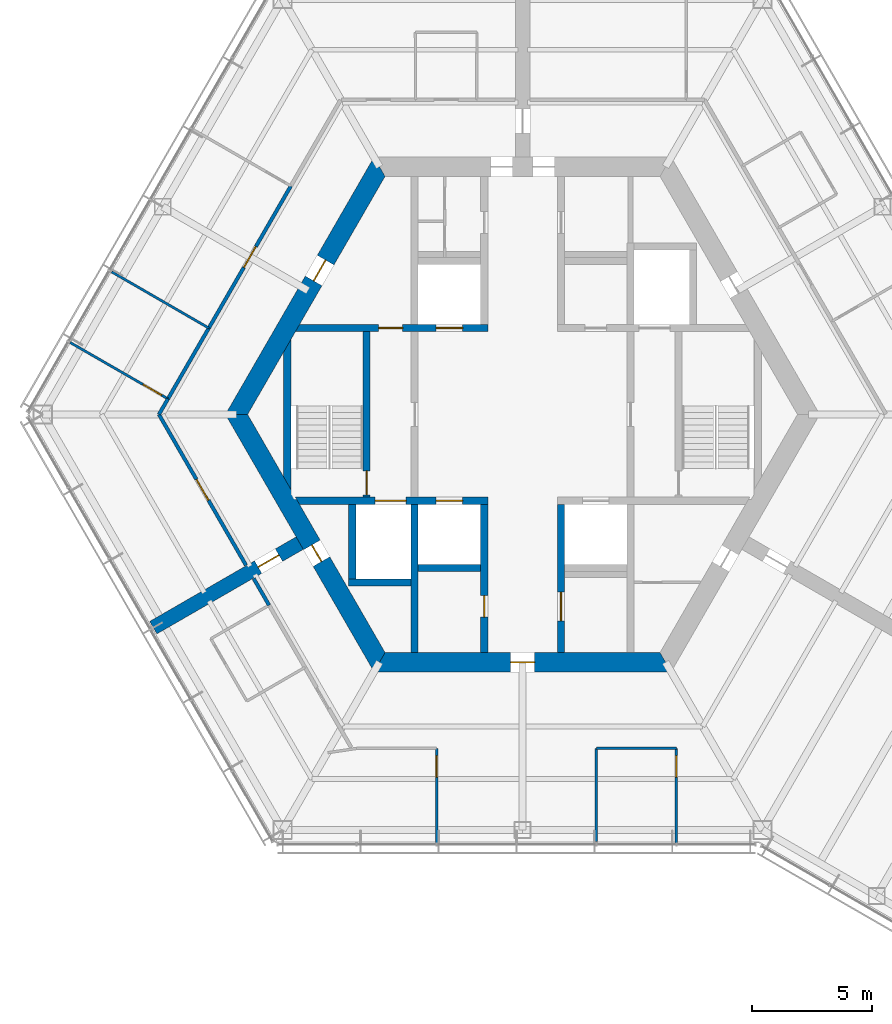
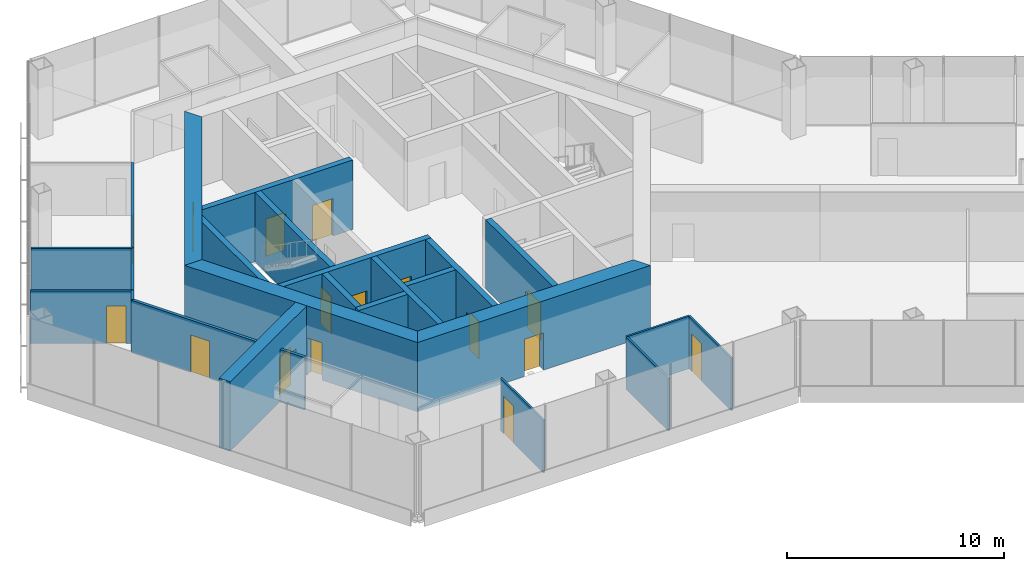
# One storey, part 10 of 16: 25 walls, 16 doors, 16 openings.
"""IFC4 building model written with IfcOpenShell, lengths in metres."""

from ifc_helpers import new_model, si_unit, direction, frame, frame_2d, origin, place, context, subcontext, project, spatial, polyline, rectangle, outline, extrude, material, layer, layer_set, type_object, element, fill, save


model = new_model("IFC4")

# Units and contexts
model_context = context("Model", 3, precision=1e-05, world=origin(), true_north=direction((0.0, 1.0)))
body_context = subcontext(model_context, "Body", "Model", "MODEL_VIEW")
ifc_project = project(units=[si_unit("LENGTHUNIT", "METRE"), si_unit("AREAUNIT", "SQUARE_METRE"), si_unit("VOLUMEUNIT", "CUBIC_METRE"), si_unit("PLANEANGLEUNIT", "RADIAN"), si_unit("MASSUNIT", "GRAM", prefix="KILO")], contexts=[model_context])

# Site, building, storey
site_placement = place(None, origin())
site = spatial("IfcSite", under=ifc_project, at=site_placement, CompositionType="ELEMENT")
building_placement = place(site_placement, origin())
building = spatial("IfcBuilding", under=site, at=building_placement, Name="Kasaneha Research Tower", CompositionType="ELEMENT")
storey_placement = place(building_placement, frame((0.0, 0.0, 259.60009765625)))
storey = spatial("IfcBuildingStorey", under=building, at=storey_placement, Name="L65", CompositionType="ELEMENT", Elevation=259.60009765625)

# Wall, openings, doors
ifc_material_1 = material(Name="Concrete Fc60", Category="concrete")
ifc_layer_1 = layer(ifc_material_1, 0.300048828125)
ifc_layer_set_1 = layer_set([ifc_layer_1], Name="Core internal wall 300 Fc60")
wall_type_1 = type_object("IfcWallType", Name="Core internal wall 300 Fc60", PredefinedType="SHEAR", material=ifc_layer_set_1)
wall_1_placement = place(storey_placement, frame((-9.3818359375, 3.60009765625, 0.0), z_axis=(0.0, 0.0, 1.0), x_axis=(1.0, 0.0, 0.0)))
wall_1 = element("IfcWall", 1, at=wall_1_placement, inside=storey, type_object=wall_type_1, Name="Core wall W1W L65", PredefinedType="SHEAR", context=body_context, shape_type="SweptSolid", body=[
    extrude(outline(polyline([(-0.086669921875, -0.14990234375), (3.3818359375, -0.14990234375), (4.3818359375, -0.14990234375), (5.781982421875, -0.14990234375), (6.882080078125, -0.14990234375), (7.931884765625, -0.14990234375), (7.931884765625, 0.14990234375), (6.882080078125, 0.14990234375), (5.781982421875, 0.14990234375), (4.3818359375, 0.14990234375), (3.3818359375, 0.14990234375), (0.086669921875, 0.14990234375), (-0.086669921875, -0.14990234375)])), origin(), (0.0, 0.0, 1.0), 3.89990234375),
])
opening_1_placement = place(wall_1_placement, frame((3.3818359375, 0.0, 0.0)))
opening_1 = element("IfcOpeningElement", 2, at=opening_1_placement, cuts=wall_1, Name="Opening L65-D12", PredefinedType="OPENING", context=body_context, shape_type="SweptSolid", body=[
    extrude(rectangle(XDim=1.0, YDim=2.10009765625, at=frame_2d((0.5, 1.050048828125))), frame((0.0, 0.16015625, 0.0), z_axis=(0.0, -1.0, 0.0), x_axis=(1.0, 0.0, 0.0)), (0.0, 0.0, 1.0), 0.320068359375),
])
opening_2_placement = place(wall_1_placement, frame((5.781982421875, 0.0, 0.0)))
opening_2 = element("IfcOpeningElement", 3, at=opening_2_placement, cuts=wall_1, Name="Opening LD-LH2-L65", PredefinedType="OPENING", context=body_context, shape_type="SweptSolid", body=[
    extrude(rectangle(XDim=1.10009765625, YDim=2.10009765625, at=frame_2d((0.550048828125, 1.050048828125))), frame((0.0, 0.16015625, 0.0), z_axis=(0.0, -1.0, 0.0), x_axis=(1.0, 0.0, 0.0)), (0.0, 0.0, 1.0), 0.320068359375),
])
ifc_material_2 = material(Name="Steel", Category="steel")
door_type_1 = type_object("IfcDoorType", Name="Lift landing door 1100x2100", OperationType="DOUBLE_DOOR_SLIDING", PredefinedType="DOOR", material=ifc_material_2)
door_1_placement = place(opening_2_placement, origin())
door_1 = element("IfcDoor", 4, at=door_1_placement, inside=storey, type_object=door_type_1, Name="Landing door LH2 LD-LH2-L65", OperationType="DOUBLE_DOOR_SLIDING", OverallHeight=2.10009765625, OverallWidth=1.10009765625, PredefinedType="DOOR", context=body_context, shape_type="SweptSolid", body=[
    extrude(rectangle(XDim=1.10009765625, YDim=2.10009765625, at=frame_2d((0.550048828125, 1.050048828125))), frame((0.0, 0.02490234375, 0.0), z_axis=(0.0, -1.0, 0.0), x_axis=(1.0, 0.0, 0.0)), (0.0, 0.0, 1.0), 0.050048828125),
])
fill(opening_2, door_1)
ifc_material_3 = material(Name="Steel", Category="steel")
door_type_2 = type_object("IfcDoorType", Name="Specified fire door FD60 1000x2100", OperationType="NOTDEFINED", PredefinedType="DOOR", material=ifc_material_3)
door_2_placement = place(opening_1_placement, origin())
door_2 = element("IfcDoor", 5, at=door_2_placement, inside=storey, type_object=door_type_2, Name="Vestibule to lobby door L65-D12", OperationType="SINGLE_SWING_LEFT", OverallHeight=2.10009765625, OverallWidth=1.0, PredefinedType="DOOR", context=body_context, shape_type="SweptSolid", body=[
    extrude(rectangle(XDim=1.0, YDim=2.10009765625, at=frame_2d((0.5, 1.050048828125))), frame((0.0, 0.02490234375, 0.0), z_axis=(0.0, -1.0, 0.0), x_axis=(1.0, 0.0, 0.0)), (0.0, 0.0, 1.0), 0.050048828125),
])
fill(opening_1, door_2)

wall_2_placement = place(storey_placement, frame((-9.3818359375, -3.60009765625, 0.0), z_axis=(0.0, 0.0, 1.0), x_axis=(1.0, 0.0, 0.0)))
wall_2 = element("IfcWall", 6, at=wall_2_placement, inside=storey, type_object=wall_type_1, Name="Core wall W2W L65", PredefinedType="SHEAR", context=body_context, shape_type="SweptSolid", body=[
    extrude(outline(polyline([(0.086669921875, -0.14990234375), (3.23193359375, -0.14990234375), (4.531982421875, -0.14990234375), (5.781982421875, -0.14990234375), (6.882080078125, -0.14990234375), (7.931884765625, -0.14990234375), (7.931884765625, 0.14990234375), (6.882080078125, 0.14990234375), (5.781982421875, 0.14990234375), (4.531982421875, 0.14990234375), (3.23193359375, 0.14990234375), (-0.086669921875, 0.14990234375), (0.086669921875, -0.14990234375)])), origin(), (0.0, 0.0, 1.0), 3.89990234375),
])
opening_3_placement = place(wall_2_placement, frame((5.781982421875, 0.0, 0.0)))
opening_3 = element("IfcOpeningElement", 7, at=opening_3_placement, cuts=wall_2, Name="Opening LD-LH1-L65", PredefinedType="OPENING", context=body_context, shape_type="SweptSolid", body=[
    extrude(rectangle(XDim=1.10009765625, YDim=2.10009765625, at=frame_2d((0.550048828125, 1.050048828125))), frame((0.0, 0.16015625, 0.0), z_axis=(0.0, -1.0, 0.0), x_axis=(1.0, 0.0, 0.0)), (0.0, 0.0, 1.0), 0.320068359375),
])
opening_4_placement = place(wall_2_placement, frame((3.23193359375, 0.0, 0.0)))
opening_4 = element("IfcOpeningElement", 8, at=opening_4_placement, cuts=wall_2, Name="Opening LD-FL2-L65", PredefinedType="OPENING", context=body_context, shape_type="SweptSolid", body=[
    extrude(rectangle(XDim=1.300048828125, YDim=2.10009765625, at=frame_2d((0.64990234375, 1.050048828125))), frame((0.0, 0.16015625, 0.0), z_axis=(0.0, -1.0, 0.0), x_axis=(1.0, 0.0, 0.0)), (0.0, 0.0, 1.0), 0.320068359375),
])
door_3_placement = place(opening_3_placement, origin())
door_3 = element("IfcDoor", 9, at=door_3_placement, inside=storey, type_object=door_type_1, Name="Landing door LH1 LD-LH1-L65", OperationType="DOUBLE_DOOR_SLIDING", OverallHeight=2.10009765625, OverallWidth=1.10009765625, PredefinedType="DOOR", context=body_context, shape_type="SweptSolid", body=[
    extrude(rectangle(XDim=1.10009765625, YDim=2.10009765625, at=frame_2d((0.550048828125, 1.050048828125))), frame((0.0, 0.02490234375, 0.0), z_axis=(0.0, -1.0, 0.0), x_axis=(1.0, 0.0, 0.0)), (0.0, 0.0, 1.0), 0.050048828125),
])
fill(opening_3, door_3)
ifc_material_4 = material(Name="Steel", Category="steel")
door_type_3 = type_object("IfcDoorType", Name="Lift landing door 1300x2100", OperationType="DOUBLE_DOOR_SLIDING", PredefinedType="DOOR", material=ifc_material_4)
door_4_placement = place(opening_4_placement, origin())
door_4 = element("IfcDoor", 10, at=door_4_placement, inside=storey, type_object=door_type_3, Name="Landing door FL2 LD-FL2-L65", OperationType="DOUBLE_DOOR_SLIDING", OverallHeight=2.10009765625, OverallWidth=1.300048828125, PredefinedType="DOOR", context=body_context, shape_type="SweptSolid", body=[
    extrude(rectangle(XDim=1.300048828125, YDim=2.10009765625, at=frame_2d((0.64990234375, 1.050048828125))), frame((0.0, 0.02490234375, 0.0), z_axis=(0.0, -1.0, 0.0), x_axis=(1.0, 0.0, 0.0)), (0.0, 0.0, 1.0), 0.050048828125),
])
fill(opening_4, door_4)

# Wall, opening, door
wall_3_placement = place(storey_placement, frame((-1.60009765625, -3.75, 0.0), z_axis=(0.0, 0.0, 1.0), x_axis=(0.0, -1.0, 0.0)))
wall_3 = element("IfcWall", 11, at=wall_3_placement, inside=storey, type_object=wall_type_1, Name="Core wall CSW L65", PredefinedType="SHEAR", context=body_context, shape_type="SweptSolid", body=[
    extrude(rectangle(XDim=6.175048828125, YDim=0.300048828125, at=frame_2d((3.08740234375, 0.0))), origin(), (0.0, 0.0, 1.0), 3.89990234375),
])
opening_5_placement = place(wall_3_placement, frame((3.800048828125, 0.0, 0.0)))
opening_5 = element("IfcOpeningElement", 12, at=opening_5_placement, cuts=wall_3, Name="Opening L65-D16", PredefinedType="OPENING", context=body_context, shape_type="SweptSolid", body=[
    extrude(rectangle(XDim=0.89990234375, YDim=2.10009765625, at=frame_2d((0.449951171875, 1.050048828125))), frame((0.0, 0.16015625, 0.0), z_axis=(0.0, -1.0, 0.0), x_axis=(1.0, 0.0, 0.0)), (0.0, 0.0, 1.0), 0.320068359375),
])
ifc_material_5 = material(Name="Steel", Category="steel")
door_type_4 = type_object("IfcDoorType", Name="Riser access door FD60 900x2100", OperationType="NOTDEFINED", PredefinedType="DOOR", material=ifc_material_5)
door_5_placement = place(opening_5_placement, origin())
door_5 = element("IfcDoor", 13, at=door_5_placement, inside=storey, type_object=door_type_4, Name="Electrical riser door L65-D16", OperationType="SINGLE_SWING_LEFT", OverallHeight=2.10009765625, OverallWidth=0.89990234375, PredefinedType="DOOR", context=body_context, shape_type="SweptSolid", body=[
    extrude(rectangle(XDim=0.89990234375, YDim=2.10009765625, at=frame_2d((0.449951171875, 1.050048828125))), frame((0.0, 0.02490234375, 0.0), z_axis=(0.0, -1.0, 0.0), x_axis=(1.0, 0.0, 0.0)), (0.0, 0.0, 1.0), 0.050048828125),
])
fill(opening_5, door_5)

wall_4_placement = place(storey_placement, frame((1.60009765625, -3.75, 0.0), z_axis=(0.0, 0.0, 1.0), x_axis=(0.0, -1.0, 0.0)))
wall_4 = element("IfcWall", 14, at=wall_4_placement, inside=storey, type_object=wall_type_1, Name="Core wall CSE L65", PredefinedType="SHEAR", context=body_context, shape_type="SweptSolid", body=[
    extrude(rectangle(XDim=6.175048828125, YDim=0.300048828125, at=frame_2d((3.08740234375, 0.0))), origin(), (0.0, 0.0, 1.0), 3.89990234375),
])
opening_6_placement = place(wall_4_placement, frame((3.64990234375, 0.0, 0.0)))
opening_6 = element("IfcOpeningElement", 15, at=opening_6_placement, cuts=wall_4, Name="Opening L65-D15", PredefinedType="OPENING", context=body_context, shape_type="SweptSolid", body=[
    extrude(rectangle(XDim=1.199951171875, YDim=2.10009765625, at=frame_2d((0.60009765625, 1.050048828125))), frame((0.0, 0.16015625, 0.0), z_axis=(0.0, -1.0, 0.0), x_axis=(1.0, 0.0, 0.0)), (0.0, 0.0, 1.0), 0.320068359375),
])
ifc_material_6 = material(Name="Steel", Category="steel")
door_type_5 = type_object("IfcDoorType", Name="Accessible toilet sliding door FD20 1200x2100", OperationType="SLIDING_TO_LEFT", PredefinedType="DOOR", material=ifc_material_6)
door_6_placement = place(opening_6_placement, origin())
door_6 = element("IfcDoor", 16, at=door_6_placement, inside=storey, type_object=door_type_5, Name="Accessible WC door L65-D15", OperationType="SLIDING_TO_LEFT", OverallHeight=2.10009765625, OverallWidth=1.199951171875, PredefinedType="DOOR", context=body_context, shape_type="SweptSolid", body=[
    extrude(rectangle(XDim=1.199951171875, YDim=2.10009765625, at=frame_2d((0.60009765625, 1.050048828125))), frame((0.0, 0.02490234375, 0.0), z_axis=(0.0, -1.0, 0.0), x_axis=(1.0, 0.0, 0.0)), (0.0, 0.0, 1.0), 0.050048828125),
])
fill(opening_6, door_6)

wall_5_placement = place(storey_placement, frame((-6.5, -3.449951171875, 0.0), z_axis=(0.0, 0.0, 1.0), x_axis=(0.0, 1.0, 0.0)))
wall_5 = element("IfcWall", 17, at=wall_5_placement, inside=storey, type_object=wall_type_1, Name="Core wall ANW L65", PredefinedType="SHEAR", context=body_context, shape_type="SweptSolid", body=[
    extrude(rectangle(XDim=6.89990234375, YDim=0.300048828125, at=frame_2d((3.449951171875, 0.0))), origin(), (0.0, 0.0, 1.0), 3.89990234375),
])
opening_7_placement = place(wall_5_placement, frame((0.10009765625, 0.0, 0.0)))
opening_7 = element("IfcOpeningElement", 18, at=opening_7_placement, cuts=wall_5, Name="Opening L65-D11", PredefinedType="OPENING", context=body_context, shape_type="SweptSolid", body=[
    extrude(rectangle(XDim=1.0, YDim=2.10009765625, at=frame_2d((0.5, 1.050048828125))), frame((0.0, 0.16015625, 0.0), z_axis=(0.0, -1.0, 0.0), x_axis=(1.0, 0.0, 0.0)), (0.0, 0.0, 1.0), 0.320068359375),
])
door_7_placement = place(opening_7_placement, origin())
door_7 = element("IfcDoor", 19, at=door_7_placement, inside=storey, type_object=door_type_2, Name="Stair 2 door L65-D11", OperationType="SINGLE_SWING_LEFT", OverallHeight=2.10009765625, OverallWidth=1.0, PredefinedType="DOOR", context=body_context, shape_type="SweptSolid", body=[
    extrude(rectangle(XDim=1.0, YDim=2.10009765625, at=frame_2d((0.5, 1.050048828125))), frame((0.0, 0.02490234375, 0.0), z_axis=(0.0, -1.0, 0.0), x_axis=(1.0, 0.0, 0.0)), (0.0, 0.0, 1.0), 0.050048828125),
])
fill(opening_7, door_7)

# Walls
wall_6_placement = place(storey_placement, frame((-4.5, -3.75, 0.0), z_axis=(0.0, 0.0, 1.0), x_axis=(0.0, -1.0, 0.0)))
element("IfcWall", 20, at=wall_6_placement, inside=storey, type_object=wall_type_1, Name="Core wall SSW L65", PredefinedType="SHEAR", context=body_context, shape_type="SweptSolid", body=[
    extrude(rectangle(XDim=6.175048828125, YDim=0.300048828125, at=frame_2d((3.08740234375, 0.0))), origin(), (0.0, 0.0, 1.0), 3.89990234375),
])
for number, where, z_axis, x_axis, name in (
    (21, (-4.35009765625, -6.39990234375, 0.0), (0.0, 0.0, 1.0), (1.0, 0.0, 0.0), "Core wall S1S L65"),
    (22, (-7.25, -7.0, 0.0), (0.0, 0.0, 1.0), (1.0, 0.0, 0.0), "Core wall F2S L65"),
):
    element("IfcWall", number, at=place(storey_placement, frame(where, z_axis=z_axis, x_axis=x_axis)), inside=storey, type_object=wall_type_1, Name=name, PredefinedType="SHEAR", context=body_context, shape_type="SweptSolid", body=[
        extrude(rectangle(XDim=2.60009765625, YDim=0.300048828125, at=frame_2d((1.300048828125, 0.0))), origin(), (0.0, 0.0, 1.0), 3.89990234375),
    ])
wall_7_placement = place(storey_placement, frame((-7.10009765625, -3.75, 0.0), z_axis=(0.0, 0.0, 1.0), x_axis=(0.0, -1.0, 0.0)))
element("IfcWall", 23, at=wall_7_placement, inside=storey, type_object=wall_type_1, Name="Core wall F2W L65", PredefinedType="SHEAR", context=body_context, shape_type="SweptSolid", body=[
    extrude(rectangle(XDim=3.10009765625, YDim=0.300048828125, at=frame_2d((1.550048828125, 0.0))), origin(), (0.0, 0.0, 1.0), 3.89990234375),
])
wall_8_placement = place(storey_placement, frame((-9.807861328125, -2.8623046875, 0.0), z_axis=(0.0, 0.0, 1.0), x_axis=(0.0, 1.0, 0.0)))
element("IfcWall", 24, at=wall_8_placement, inside=storey, type_object=wall_type_1, Name="Core wall STW L65", PredefinedType="SHEAR", context=body_context, shape_type="SweptSolid", body=[
    extrude(outline(polyline([(-0.259765625, -0.14990234375), (5.984375, -0.14990234375), (5.46484375, 0.14990234375), (0.259765625, 0.14990234375), (-0.259765625, -0.14990234375)])), origin(), (0.0, 0.0, 1.0), 3.89990234375),
])

# Wall, opening, door
ifc_material_7 = material(Name="Concrete Fc60", Category="concrete")
ifc_layer_2 = layer(ifc_material_7, 0.800048828125)
ifc_layer_set_2 = layer_set([ifc_layer_2], Name="Core wall 800 Fc60")
wall_type_2 = type_object("IfcWallType", Name="Core wall 800 Fc60", PredefinedType="SHEAR", material=ifc_layer_set_2)
wall_9_placement = place(storey_placement, frame((-5.961181640625, 10.324951171875, 0.0), z_axis=(0.0, 0.0, 1.0), x_axis=(-0.500004296715, -0.866022923061, 0.0)))
wall_9 = element("IfcWall", 25, at=wall_9_placement, inside=storey, type_object=wall_type_2, Name="Core wall 150 L65", PredefinedType="SHEAR", context=body_context, shape_type="SweptSolid", body=[
    extrude(outline(polyline([(-0.23095703125, -0.39990234375), (4.494140625, -0.39990234375), (5.494140625, -0.39990234375), (12.1533203125, -0.39990234375), (11.69140625, 0.39990234375), (5.494140625, 0.39990234375), (4.494140625, 0.39990234375), (0.23095703125, 0.39990234375), (-0.23095703125, -0.39990234375)])), origin(), (0.0, 0.0, 1.0), 3.89990234375),
])
opening_8_placement = place(wall_9_placement, frame((4.494140625, 0.0, 0.0)))
opening_8 = element("IfcOpeningElement", 26, at=opening_8_placement, cuts=wall_9, Name="Opening L65-D07", PredefinedType="OPENING", context=body_context, shape_type="SweptSolid", body=[
    extrude(rectangle(XDim=1.0, YDim=2.10009765625, at=frame_2d((0.5, 1.050048828125))), frame((0.0, 0.41015625, 0.0), z_axis=(0.0, -1.0, 0.0), x_axis=(1.0, 0.0, 0.0)), (0.0, 0.0, 1.0), 0.820068359375),
])
ifc_material_8 = material(Name="Steel", Category="steel")
door_type_6 = type_object("IfcDoorType", Name="Fire door FD20 1000x2100", OperationType="NOTDEFINED", PredefinedType="DOOR", material=ifc_material_8)
door_8_placement = place(opening_8_placement, origin())
door_8 = element("IfcDoor", 27, at=door_8_placement, inside=storey, type_object=door_type_6, Name="Vestibule door L65-D07", OperationType="SINGLE_SWING_LEFT", OverallHeight=2.10009765625, OverallWidth=1.0, PredefinedType="DOOR", context=body_context, shape_type="SweptSolid", body=[
    extrude(rectangle(XDim=1.0, YDim=2.10009765625, at=frame_2d((0.5, 1.050048828125))), frame((0.0, 0.02490234375, 0.0), z_axis=(0.0, -1.0, 0.0), x_axis=(1.0, 0.0, 0.0)), (0.0, 0.0, 1.0), 0.050048828125),
])
fill(opening_8, door_8)

wall_10_placement = place(storey_placement, frame((-11.92236328125, 0.0, 0.0), z_axis=(0.0, 0.0, 1.0), x_axis=(0.500004296715, -0.866022923061, 0.0)))
wall_10 = element("IfcWall", 28, at=wall_10_placement, inside=storey, type_object=wall_type_2, Name="Core wall 210 L65", PredefinedType="SHEAR", context=body_context, shape_type="SweptSolid", body=[
    extrude(outline(polyline([(-0.23095703125, -0.39990234375), (6.28125, -0.39990234375), (7.081298828125, -0.39990234375), (12.1533203125, -0.39990234375), (11.69140625, 0.39990234375), (7.081298828125, 0.39990234375), (6.28125, 0.39990234375), (0.23095703125, 0.39990234375), (-0.23095703125, -0.39990234375)])), origin(), (0.0, 0.0, 1.0), 3.89990234375),
])
opening_9_placement = place(wall_10_placement, frame((6.28125, 0.0, 0.0)))
opening_9 = element("IfcOpeningElement", 29, at=opening_9_placement, cuts=wall_10, Name="Opening L65-D06", PredefinedType="OPENING", context=body_context, shape_type="SweptSolid", body=[
    extrude(rectangle(XDim=0.800048828125, YDim=2.10009765625, at=frame_2d((0.39990234375, 1.050048828125))), frame((0.0, 0.41015625, 0.0), z_axis=(0.0, -1.0, 0.0), x_axis=(1.0, 0.0, 0.0)), (0.0, 0.0, 1.0), 0.820068359375),
])
ifc_material_9 = material(Name="Steel", Category="steel")
door_type_7 = type_object("IfcDoorType", Name="Riser access door FD60 800x2100", OperationType="NOTDEFINED", PredefinedType="DOOR", material=ifc_material_9)
door_9_placement = place(opening_9_placement, origin())
door_9 = element("IfcDoor", 30, at=door_9_placement, inside=storey, type_object=door_type_7, Name="Duct riser door L65-D06", OperationType="SINGLE_SWING_RIGHT", OverallHeight=2.10009765625, OverallWidth=0.800048828125, PredefinedType="DOOR", context=body_context, shape_type="SweptSolid", body=[
    extrude(rectangle(XDim=0.800048828125, YDim=2.10009765625, at=frame_2d((0.39990234375, 1.050048828125))), frame((0.0, 0.02490234375, 0.0), z_axis=(0.0, -1.0, 0.0), x_axis=(1.0, 0.0, 0.0)), (0.0, 0.0, 1.0), 0.050048828125),
])
fill(opening_9, door_9)

wall_11_placement = place(storey_placement, frame((-5.961181640625, -10.324951171875, 0.0), z_axis=(0.0, 0.0, 1.0), x_axis=(1.0, 0.0, 0.0)))
wall_11 = element("IfcWall", 31, at=wall_11_placement, inside=storey, type_object=wall_type_2, Name="Core wall 270 L65", PredefinedType="SHEAR", context=body_context, shape_type="SweptSolid", body=[
    extrude(outline(polyline([(-0.23095703125, -0.39990234375), (5.461181640625, -0.39990234375), (6.461181640625, -0.39990234375), (12.1533203125, -0.39990234375), (11.69140625, 0.39990234375), (6.461181640625, 0.39990234375), (5.461181640625, 0.39990234375), (0.23095703125, 0.39990234375), (-0.23095703125, -0.39990234375)])), origin(), (0.0, 0.0, 1.0), 3.89990234375),
])
opening_10_placement = place(wall_11_placement, frame((5.461181640625, 0.0, 0.0)))
opening_10 = element("IfcOpeningElement", 32, at=opening_10_placement, cuts=wall_11, Name="Opening L65-D03", PredefinedType="OPENING", context=body_context, shape_type="SweptSolid", body=[
    extrude(rectangle(XDim=1.0, YDim=2.10009765625, at=frame_2d((0.5, 1.050048828125))), frame((0.0, 0.41015625, 0.0), z_axis=(0.0, -1.0, 0.0), x_axis=(1.0, 0.0, 0.0)), (0.0, 0.0, 1.0), 0.820068359375),
])
door_10_placement = place(opening_10_placement, origin())
door_10 = element("IfcDoor", 33, at=door_10_placement, inside=storey, type_object=door_type_6, Name="Core door south L65-D03", OperationType="SINGLE_SWING_LEFT", OverallHeight=2.10009765625, OverallWidth=1.0, PredefinedType="DOOR", context=body_context, shape_type="SweptSolid", body=[
    extrude(rectangle(XDim=1.0, YDim=2.10009765625, at=frame_2d((0.5, 1.050048828125))), frame((0.0, 0.02490234375, 0.0), z_axis=(0.0, -1.0, 0.0), x_axis=(1.0, 0.0, 0.0)), (0.0, 0.0, 1.0), 0.050048828125),
])
fill(opening_10, door_10)

ifc_material_10 = material(Name="Gypsum board on steel studs, one layer each side", Category="steel")
ifc_layer_3 = layer(ifc_material_10, 0.10009765625)
ifc_layer_set_3 = layer_set([ifc_layer_3], Name="Office partition 100")
wall_type_3 = type_object("IfcWallType", Name="Office partition 100", PredefinedType="PARTITIONING", material=ifc_layer_set_3)
wall_12_placement = place(storey_placement, frame((-14.77978515625, 0.650634765625, 0.0), z_axis=(0.0, 0.0, 1.0), x_axis=(-0.866504138439, 0.499169888984, 0.0)))
wall_12 = element("IfcWall", 34, at=wall_12_placement, inside=storey, type_object=wall_type_3, Name="Office partition FBN07 L65", PredefinedType="PARTITIONING", context=body_context, shape_type="SweptSolid", body=[
    extrude(rectangle(XDim=4.70556640625, YDim=0.10009765625, at=frame_2d((2.352783203125, 0.0))), origin(), (0.0, 0.0, 1.0), 2.949951171875),
])
opening_11_placement = place(wall_12_placement, frame((0.300048828125, 0.0, 0.0)))
opening_11 = element("IfcOpeningElement", 35, at=opening_11_placement, cuts=wall_12, Name="Opening L65-D33", PredefinedType="OPENING", context=body_context, shape_type="SweptSolid", body=[
    extrude(rectangle(XDim=0.89990234375, YDim=2.10009765625, at=frame_2d((0.449951171875, 1.050048828125))), frame((0.0, 0.06005859375, 0.0), z_axis=(0.0, -1.0, 0.0), x_axis=(1.0, 0.0, 0.0)), (0.0, 0.0, 1.0), 0.1201171875),
])
ifc_material_11 = material(Name="Timber veneer", Category="wood")
door_type_8 = type_object("IfcDoorType", Name="Office door 900x2100", OperationType="SINGLE_SWING_LEFT", PredefinedType="DOOR", material=ifc_material_11)
door_11_placement = place(opening_11_placement, origin())
door_11 = element("IfcDoor", 36, at=door_11_placement, inside=storey, type_object=door_type_8, Name="Executive office door L65-D33", OperationType="SINGLE_SWING_LEFT", OverallHeight=2.10009765625, OverallWidth=0.89990234375, PredefinedType="DOOR", context=body_context, shape_type="SweptSolid", body=[
    extrude(rectangle(XDim=0.89990234375, YDim=2.10009765625, at=frame_2d((0.449951171875, 1.050048828125))), frame((0.0, 0.02490234375, 0.0), z_axis=(0.0, -1.0, 0.0), x_axis=(1.0, 0.0, 0.0)), (0.0, 0.0, 1.0), 0.050048828125),
])
fill(opening_11, door_11)

# Wall
wall_13_placement = place(storey_placement, frame((-17.123291015625, 5.9423828125, 0.0), z_axis=(0.0, 0.0, 1.0), x_axis=(0.86551803214, -0.500877765568, 0.0)))
element("IfcWall", 37, at=wall_13_placement, inside=storey, type_object=wall_type_3, Name="Office partition FBN08 L65", PredefinedType="PARTITIONING", context=body_context, shape_type="SweptSolid", body=[
    extrude(rectangle(XDim=4.67529296875, YDim=0.10009765625, at=frame_2d((2.337646484375, 0.0))), origin(), (0.0, 0.0, 1.0), 2.949951171875),
])

# Wall, opening, door
wall_14_placement = place(storey_placement, frame((-3.58447265625, -13.92041015625, 0.0), z_axis=(0.0, 0.0, 1.0), x_axis=(0.0, -1.0, 0.0)))
wall_14 = element("IfcWall", 38, at=wall_14_placement, inside=storey, type_object=wall_type_3, Name="Office partition FCS05 L65", PredefinedType="PARTITIONING", context=body_context, shape_type="SweptSolid", body=[
    extrude(rectangle(XDim=3.93505859375, YDim=0.10009765625, at=frame_2d((1.967529296875, 0.0))), origin(), (0.0, 0.0, 1.0), 2.949951171875),
])
opening_12_placement = place(wall_14_placement, frame((0.300048828125, 0.0, 0.0)))
opening_12 = element("IfcOpeningElement", 39, at=opening_12_placement, cuts=wall_14, Name="Opening L65-D39", PredefinedType="OPENING", context=body_context, shape_type="SweptSolid", body=[
    extrude(rectangle(XDim=0.89990234375, YDim=2.10009765625, at=frame_2d((0.449951171875, 1.050048828125))), frame((0.0, 0.06005859375, 0.0), z_axis=(0.0, -1.0, 0.0), x_axis=(1.0, 0.0, 0.0)), (0.0, 0.0, 1.0), 0.1201171875),
])
door_12_placement = place(opening_12_placement, origin())
door_12 = element("IfcDoor", 40, at=door_12_placement, inside=storey, type_object=door_type_8, Name="Executive office door L65-D39", OperationType="SINGLE_SWING_LEFT", OverallHeight=2.10009765625, OverallWidth=0.89990234375, PredefinedType="DOOR", context=body_context, shape_type="SweptSolid", body=[
    extrude(rectangle(XDim=0.89990234375, YDim=2.10009765625, at=frame_2d((0.449951171875, 1.050048828125))), frame((0.0, 0.02490234375, 0.0), z_axis=(0.0, -1.0, 0.0), x_axis=(1.0, 0.0, 0.0)), (0.0, 0.0, 1.0), 0.050048828125),
])
fill(opening_12, door_12)

# Walls
wall_15_placement = place(storey_placement, frame((3.077392578125, -17.800537109375, 0.0), z_axis=(0.0, 0.0, 1.0), x_axis=(0.0, 1.0, 0.0)))
element("IfcWall", 41, at=wall_15_placement, inside=storey, type_object=wall_type_3, Name="Office partition FCS06 L65", PredefinedType="PARTITIONING", context=body_context, shape_type="SweptSolid", body=[
    extrude(rectangle(XDim=3.880126953125, YDim=0.10009765625, at=frame_2d((1.93994140625, 0.0))), origin(), (0.0, 0.0, 1.0), 2.949951171875),
])
wall_16_placement = place(storey_placement, frame((3.077392578125, -13.92041015625, 0.0), z_axis=(0.0, 0.0, 1.0), x_axis=(1.0, 0.0, 0.0)))
element("IfcWall", 42, at=wall_16_placement, inside=storey, type_object=wall_type_3, Name="Office partition FCS07 L65", PredefinedType="PARTITIONING", context=body_context, shape_type="SweptSolid", body=[
    extrude(rectangle(XDim=3.330810546875, YDim=0.10009765625, at=frame_2d((1.66552734375, 0.0))), origin(), (0.0, 0.0, 1.0), 2.949951171875),
])

# Wall, opening, door
wall_17_placement = place(storey_placement, frame((6.408203125, -13.92041015625, 0.0), z_axis=(0.0, 0.0, 1.0), x_axis=(0.0, -1.0, 0.0)))
wall_17 = element("IfcWall", 43, at=wall_17_placement, inside=storey, type_object=wall_type_3, Name="Office partition FCS08 L65", PredefinedType="PARTITIONING", context=body_context, shape_type="SweptSolid", body=[
    extrude(rectangle(XDim=3.93505859375, YDim=0.10009765625, at=frame_2d((1.967529296875, 0.0))), origin(), (0.0, 0.0, 1.0), 2.949951171875),
])
opening_13_placement = place(wall_17_placement, frame((0.300048828125, 0.0, 0.0)))
opening_13 = element("IfcOpeningElement", 44, at=opening_13_placement, cuts=wall_17, Name="Opening L65-D40", PredefinedType="OPENING", context=body_context, shape_type="SweptSolid", body=[
    extrude(rectangle(XDim=0.89990234375, YDim=2.10009765625, at=frame_2d((0.449951171875, 1.050048828125))), frame((0.0, 0.06005859375, 0.0), z_axis=(0.0, -1.0, 0.0), x_axis=(1.0, 0.0, 0.0)), (0.0, 0.0, 1.0), 0.1201171875),
])
door_13_placement = place(opening_13_placement, origin())
door_13 = element("IfcDoor", 45, at=door_13_placement, inside=storey, type_object=door_type_8, Name="Executive office door L65-D40", OperationType="SINGLE_SWING_LEFT", OverallHeight=2.10009765625, OverallWidth=0.89990234375, PredefinedType="DOOR", context=body_context, shape_type="SweptSolid", body=[
    extrude(rectangle(XDim=0.89990234375, YDim=2.10009765625, at=frame_2d((0.449951171875, 1.050048828125))), frame((0.0, 0.02490234375, 0.0), z_axis=(0.0, -1.0, 0.0), x_axis=(1.0, 0.0, 0.0)), (0.0, 0.0, 1.0), 0.050048828125),
])
fill(opening_13, door_13)

ifc_material_12 = material(Name="Concrete Fc60", Category="concrete")
ifc_layer_4 = layer(ifc_material_12, 0.60009765625)
ifc_layer_set_4 = layer_set([ifc_layer_4], Name="Spine wall 600 Fc60")
wall_type_4 = type_object("IfcWallType", Name="Spine wall 600 Fc60", PredefinedType="SHEAR", material=ifc_layer_set_4)
wall_18_placement = place(storey_placement, frame((-9.2880859375, -5.362548828125, 0.0), z_axis=(0.0, 0.0, 1.0), x_axis=(-0.866027473358, -0.499996415376, 0.0)))
wall_18 = element("IfcWall", 46, at=wall_18_placement, inside=storey, type_object=wall_type_4, Name="Spine wall B L65", PredefinedType="SHEAR", context=body_context, shape_type="SweptSolid", body=[
    extrude(rectangle(XDim=7.04541015625, YDim=0.60009765625, at=frame_2d((3.522705078125, 0.0))), origin(), (0.0, 0.0, 1.0), 3.89990234375),
])
opening_14_placement = place(wall_18_placement, frame((1.0, 0.0, 0.0)))
opening_14 = element("IfcOpeningElement", 47, at=opening_14_placement, cuts=wall_18, Name="Opening L65-D19", PredefinedType="OPENING", context=body_context, shape_type="SweptSolid", body=[
    extrude(rectangle(XDim=1.0, YDim=2.10009765625, at=frame_2d((0.5, 1.050048828125))), frame((0.0, 0.31005859375, 0.0), z_axis=(0.0, -1.0, 0.0), x_axis=(1.0, 0.0, 0.0)), (0.0, 0.0, 1.0), 0.6201171875),
])
door_14_placement = place(opening_14_placement, origin())
door_14 = element("IfcDoor", 48, at=door_14_placement, inside=storey, type_object=door_type_2, Name="Spine doorway B L65-D19", OperationType="SINGLE_SWING_LEFT", OverallHeight=2.10009765625, OverallWidth=1.0, PredefinedType="DOOR", context=body_context, shape_type="SweptSolid", body=[
    extrude(rectangle(XDim=1.0, YDim=2.10009765625, at=frame_2d((0.5, 1.050048828125))), frame((0.0, 0.02490234375, 0.0), z_axis=(0.0, -1.0, 0.0), x_axis=(1.0, 0.0, 0.0)), (0.0, 0.0, 1.0), 0.050048828125),
])
fill(opening_14, door_14)

# Walls
ifc_material_13 = material(Name="Gypsum board on steel studs, two layers each side", Category="steel")
ifc_layer_5 = layer(ifc_material_13, 0.14990234375)
ifc_layer_set_5 = layer_set([ifc_layer_5], Name="Suite partition 150")
wall_type_5 = type_object("IfcWallType", Name="Suite partition 150", PredefinedType="PARTITIONING", material=ifc_layer_set_5)
wall_19_placement = place(storey_placement, frame((-14.78466796875, 0.642333984375, 0.0), z_axis=(0.0, 0.0, 1.0), x_axis=(0.500032973541, 0.866006365664, 0.0)))
element("IfcWall", 49, at=wall_19_placement, inside=storey, type_object=wall_type_5, Name="Suite partition FBN02 L65", PredefinedType="PARTITIONING", context=body_context, shape_type="SweptSolid", body=[
    extrude(rectangle(XDim=3.425537109375, YDim=0.14990234375, at=frame_2d((1.712890625, 0.0))), origin(), (0.0, 0.0, 1.0), 2.949951171875),
])
wall_20_placement = place(storey_placement, frame((-15.155517578125, 0.0, 0.0), z_axis=(0.0, 0.0, 1.0), x_axis=(0.500088105676, 0.865974529972, 0.0)))
element("IfcWall", 50, at=wall_20_placement, inside=storey, type_object=wall_type_5, Name="Suite partition FBN03 L65", PredefinedType="PARTITIONING", context=body_context, shape_type="SweptSolid", body=[
    extrude(rectangle(XDim=0.751220703125, YDim=0.14990234375, at=frame_2d((0.37548828125, 0.0))), origin(), (0.0, 0.0, 1.0), 2.949951171875),
])

# Wall, opening, door
wall_21_placement = place(storey_placement, frame((-11.526611328125, -6.285400390625, 0.0), z_axis=(0.0, 0.0, 1.0), x_axis=(-0.500002959843, 0.866023694911, 0.0)))
wall_21 = element("IfcWall", 51, at=wall_21_placement, inside=storey, type_object=wall_type_5, Name="Suite partition FBN04 L65", PredefinedType="PARTITIONING", context=body_context, shape_type="SweptSolid", body=[
    extrude(rectangle(XDim=7.2578125, YDim=0.14990234375, at=frame_2d((3.62890625, 0.0))), origin(), (0.0, 0.0, 1.0), 2.949951171875),
])
opening_15_placement = place(wall_21_placement, frame((3.12890625, 0.0, 0.0)))
opening_15 = element("IfcOpeningElement", 52, at=opening_15_placement, cuts=wall_21, Name="Opening L65-D30", PredefinedType="OPENING", context=body_context, shape_type="SweptSolid", body=[
    extrude(rectangle(XDim=1.0, YDim=2.10009765625, at=frame_2d((0.5, 1.050048828125))), frame((0.0, 0.0849609375, 0.0), z_axis=(0.0, -1.0, 0.0), x_axis=(1.0, 0.0, 0.0)), (0.0, 0.0, 1.0), 0.169921875),
])
ifc_material_14 = material(Name="Steel", Category="steel")
door_type_9 = type_object("IfcDoorType", Name="Suite entrance door FD60 1000x2100", OperationType="NOTDEFINED", PredefinedType="DOOR", material=ifc_material_14)
door_15_placement = place(opening_15_placement, origin())
door_15 = element("IfcDoor", 53, at=door_15_placement, inside=storey, type_object=door_type_9, Name="Suite entrance door L65-D30", OperationType="SINGLE_SWING_RIGHT", OverallHeight=2.10009765625, OverallWidth=1.0, PredefinedType="DOOR", context=body_context, shape_type="SweptSolid", body=[
    extrude(rectangle(XDim=1.0, YDim=2.10009765625, at=frame_2d((0.5, 1.050048828125))), frame((0.0, 0.02490234375, 0.0), z_axis=(0.0, -1.0, 0.0), x_axis=(1.0, 0.0, 0.0)), (0.0, 0.0, 1.0), 0.050048828125),
])
fill(opening_15, door_15)

wall_22_placement = place(storey_placement, frame((-13.07666015625, 3.6005859375, 0.0), z_axis=(0.0, 0.0, 1.0), x_axis=(0.500004632818, 0.866022729009, 0.0)))
wall_22 = element("IfcWall", 54, at=wall_22_placement, inside=storey, type_object=wall_type_5, Name="Suite partition FBN05 L65", PredefinedType="PARTITIONING", context=body_context, shape_type="SweptSolid", body=[
    extrude(rectangle(XDim=6.84033203125, YDim=0.14990234375, at=frame_2d((3.420166015625, 0.0))), origin(), (0.0, 0.0, 1.0), 2.949951171875),
])
opening_16_placement = place(wall_22_placement, frame((2.919921875, 0.0, 0.0)))
opening_16 = element("IfcOpeningElement", 55, at=opening_16_placement, cuts=wall_22, Name="Opening L65-D31", PredefinedType="OPENING", context=body_context, shape_type="SweptSolid", body=[
    extrude(rectangle(XDim=1.0, YDim=2.10009765625, at=frame_2d((0.5, 1.050048828125))), frame((0.0, 0.0849609375, 0.0), z_axis=(0.0, -1.0, 0.0), x_axis=(1.0, 0.0, 0.0)), (0.0, 0.0, 1.0), 0.169921875),
])
door_16_placement = place(opening_16_placement, origin())
door_16 = element("IfcDoor", 56, at=door_16_placement, inside=storey, type_object=door_type_9, Name="Suite entrance door L65-D31", OperationType="SINGLE_SWING_RIGHT", OverallHeight=2.10009765625, OverallWidth=1.0, PredefinedType="DOOR", context=body_context, shape_type="SweptSolid", body=[
    extrude(rectangle(XDim=1.0, YDim=2.10009765625, at=frame_2d((0.5, 1.050048828125))), frame((0.0, 0.02490234375, 0.0), z_axis=(0.0, -1.0, 0.0), x_axis=(1.0, 0.0, 0.0)), (0.0, 0.0, 1.0), 0.050048828125),
])
fill(opening_16, door_16)

# Wall
wall_23_placement = place(storey_placement, frame((-10.564208984375, -7.951904296875, 0.0), z_axis=(0.0, 0.0, 1.0), x_axis=(-0.500084415177, 0.865976661173, 0.0)))
element("IfcWall", 57, at=wall_23_placement, inside=storey, type_object=wall_type_5, Name="Suite partition FBS02 L65", PredefinedType="PARTITIONING", context=body_context, shape_type="SweptSolid", body=[
    extrude(rectangle(XDim=1.284423828125, YDim=0.14990234375, at=frame_2d((0.64208984375, 0.0))), origin(), (0.0, 0.0, 1.0), 2.949951171875),
])

save(model, "model.ifc")
